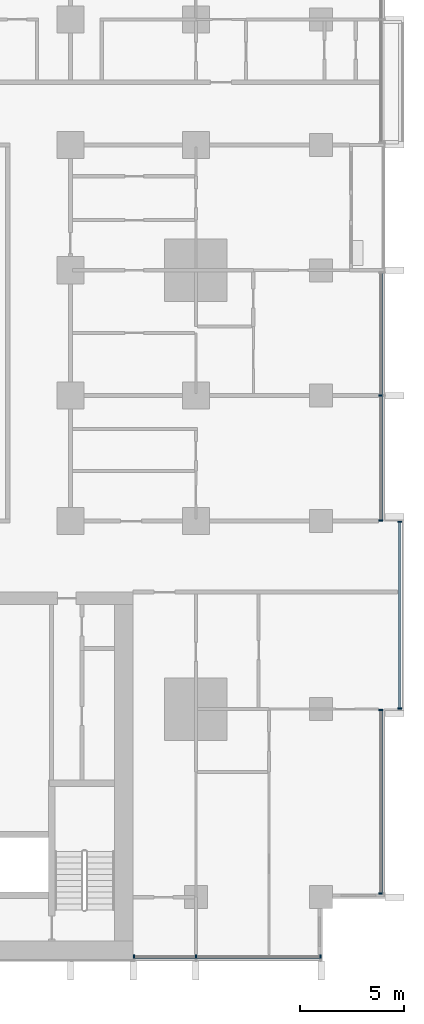
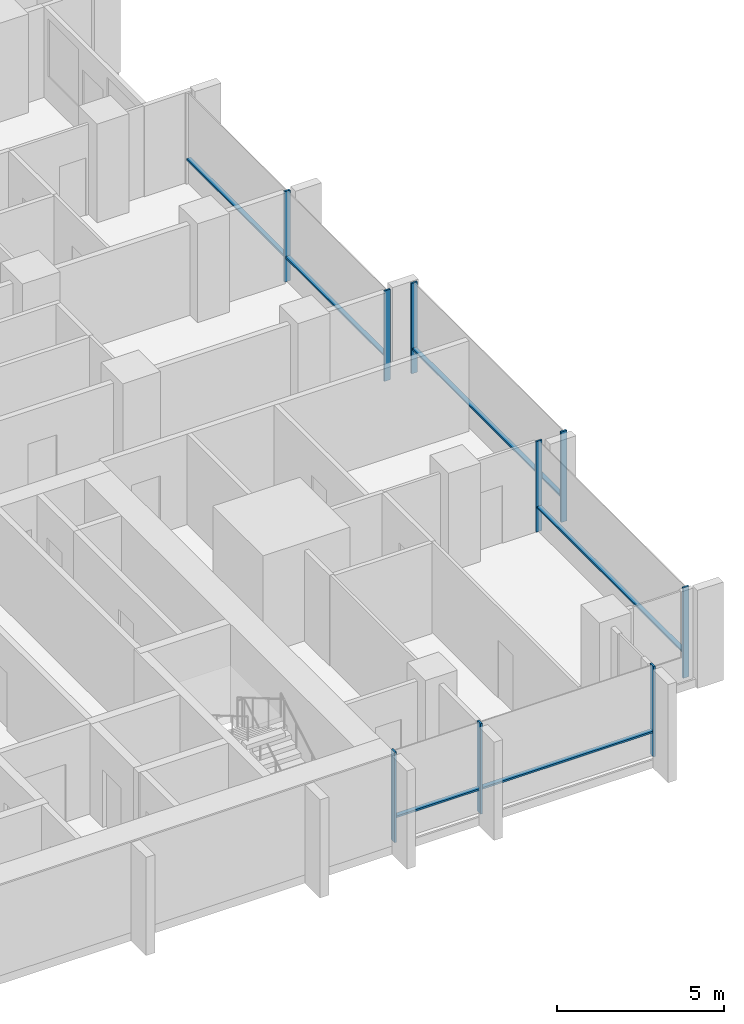
# One storey, part 3 of 18: 15 members, 4 elements without a shape of their own.
"""IFC4 building model written with IfcOpenShell, lengths in metres."""

from ifc_helpers import new_model, si_unit, direction, frame, origin, origin_2d, place, context, subcontext, project, spatial, rectangle, extrude, material, material_profile, profile_set, type_object, element, aggregate, save


model = new_model("IFC4")

# Units and contexts
model_context = context("Model", 3, precision=1e-05, world=origin(), true_north=direction((0.0, 1.0)))
body_context = subcontext(model_context, "Body", "Model", "MODEL_VIEW")
ifc_project = project(units=[si_unit("LENGTHUNIT", "METRE"), si_unit("AREAUNIT", "SQUARE_METRE"), si_unit("VOLUMEUNIT", "CUBIC_METRE"), si_unit("PLANEANGLEUNIT", "RADIAN"), si_unit("MASSUNIT", "GRAM", prefix="KILO")], contexts=[model_context])

# Site, building, storey
site_placement = place(None, origin())
site = spatial("IfcSite", under=ifc_project, at=site_placement, CompositionType="ELEMENT")
building_placement = place(site_placement, origin())
building = spatial("IfcBuilding", under=site, at=building_placement, Name="Finial Court Residences", CompositionType="ELEMENT")
storey_placement = place(building_placement, frame((0.0, 0.0, 36.10009765625)))
storey = spatial("IfcBuildingStorey", under=building, at=storey_placement, Name="L07", CompositionType="ELEMENT", Elevation=36.10009765625)

# Curtain wall, members
ifc_material = material(Name="Bronze anodised aluminium", Category="aluminium")
curtain_wall_type = type_object("IfcCurtainWallType", Name="Unitised curtain wall, lower and middle zones", PredefinedType="NOTDEFINED", material=ifc_material)
curtain_wall_1_placement = place(storey_placement, origin())
curtain_wall_1 = element("IfcCurtainWall", 1, at=curtain_wall_1_placement, inside=storey, type_object=curtain_wall_type, Name="E-L07-CW-E4", PredefinedType="NOTDEFINED")
ifc_material_profile_1 = material_profile(ifc_material, rectangle(XDim=0.199951171875, YDim=0.06494140625, at=origin_2d()), Name="CW1 mullion 65 x 200")
ifc_profile_set_1 = profile_set([ifc_material_profile_1], Name="Bronze anodised aluminium")
member_type_1 = type_object("IfcMemberType", Name="CW1 mullion 65 x 200", PredefinedType="MULLION", material=ifc_profile_set_1)
member_1_placement = place(storey_placement, frame((25.35009765625, -22.3173828125, 0.0), z_axis=(0.0, 0.0, 1.0), x_axis=(-1.0, 0.0, 0.0)))
member_1 = element("IfcMember", 2, at=member_1_placement, type_object=member_type_1, Name="CW1 mullion 1", PredefinedType="MULLION", context=body_context, shape_type="SweptSolid", body=[
    extrude(rectangle(XDim=0.199951171875, YDim=0.06494140625, at=origin_2d()), origin(), (0.0, 0.0, 1.0), 3.2998046875),
])
member_2_placement = place(storey_placement, frame((25.35009765625, -13.532470703125, 0.0), z_axis=(0.0, 0.0, 1.0), x_axis=(-1.0, 0.0, 0.0)))
member_2 = element("IfcMember", 3, at=member_2_placement, type_object=member_type_1, Name="CW1 mullion 2", PredefinedType="MULLION", context=body_context, shape_type="SweptSolid", body=[
    extrude(rectangle(XDim=0.199951171875, YDim=0.06494140625, at=origin_2d()), origin(), (0.0, 0.0, 1.0), 3.2998046875),
])

curtain_wall_2_placement = place(storey_placement, origin())
curtain_wall_2 = element("IfcCurtainWall", 4, at=curtain_wall_2_placement, inside=storey, type_object=curtain_wall_type, Name="E-L07-CW-E5", PredefinedType="NOTDEFINED")
member_3_placement = place(storey_placement, frame((26.25, -13.467529296875, 0.0), z_axis=(0.0, 0.0, 1.0), x_axis=(-1.0, 0.0, 0.0)))
member_3 = element("IfcMember", 5, at=member_3_placement, type_object=member_type_1, Name="CW1 mullion 1", PredefinedType="MULLION", context=body_context, shape_type="SweptSolid", body=[
    extrude(rectangle(XDim=0.199951171875, YDim=0.06494140625, at=origin_2d()), origin(), (0.0, 0.0, 1.0), 3.2998046875),
])
member_4_placement = place(storey_placement, frame((26.25, -4.532470703125, 0.0), z_axis=(0.0, 0.0, 1.0), x_axis=(-1.0, 0.0, 0.0)))
member_4 = element("IfcMember", 6, at=member_4_placement, type_object=member_type_1, Name="CW1 mullion 2", PredefinedType="MULLION", context=body_context, shape_type="SweptSolid", body=[
    extrude(rectangle(XDim=0.199951171875, YDim=0.06494140625, at=origin_2d()), origin(), (0.0, 0.0, 1.0), 3.2998046875),
])

curtain_wall_3_placement = place(storey_placement, origin())
curtain_wall_3 = element("IfcCurtainWall", 7, at=curtain_wall_3_placement, inside=storey, type_object=curtain_wall_type, Name="E-L07-CW-E6", PredefinedType="NOTDEFINED")
member_5_placement = place(storey_placement, frame((25.35009765625, -4.467529296875, 0.0), z_axis=(0.0, 0.0, 1.0), x_axis=(-1.0, 0.0, 0.0)))
member_5 = element("IfcMember", 8, at=member_5_placement, type_object=member_type_1, Name="CW1 mullion 1", PredefinedType="MULLION", context=body_context, shape_type="SweptSolid", body=[
    extrude(rectangle(XDim=0.199951171875, YDim=0.06494140625, at=origin_2d()), origin(), (0.0, 0.0, 1.0), 3.2998046875),
])
member_6_placement = place(storey_placement, frame((25.35009765625, 1.5, 0.0), z_axis=(0.0, 0.0, 1.0), x_axis=(-1.0, 0.0, 0.0)))
member_6 = element("IfcMember", 9, at=member_6_placement, type_object=member_type_1, Name="CW1 mullion 2", PredefinedType="MULLION", context=body_context, shape_type="SweptSolid", body=[
    extrude(rectangle(XDim=0.199951171875, YDim=0.06494140625, at=origin_2d()), origin(), (0.0, 0.0, 1.0), 3.2998046875),
])

curtain_wall_4_placement = place(storey_placement, origin())
curtain_wall_4 = element("IfcCurtainWall", 10, at=curtain_wall_4_placement, inside=storey, type_object=curtain_wall_type, Name="E-L07-CW-S9", PredefinedType="NOTDEFINED")
member_7_placement = place(storey_placement, frame((13.532470703125, -25.35009765625, 0.0), z_axis=(0.0, 0.0, 1.0), x_axis=(0.0, 1.0, 0.0)))
member_7 = element("IfcMember", 11, at=member_7_placement, type_object=member_type_1, Name="CW1 mullion 1", PredefinedType="MULLION", context=body_context, shape_type="SweptSolid", body=[
    extrude(rectangle(XDim=0.199951171875, YDim=0.06494140625, at=origin_2d()), origin(), (0.0, 0.0, 1.0), 3.2998046875),
])
member_8_placement = place(storey_placement, frame((16.5, -25.35009765625, 0.0), z_axis=(0.0, 0.0, 1.0), x_axis=(0.0, 1.0, 0.0)))
member_8 = element("IfcMember", 12, at=member_8_placement, type_object=member_type_1, Name="CW1 mullion 2", PredefinedType="MULLION", context=body_context, shape_type="SweptSolid", body=[
    extrude(rectangle(XDim=0.199951171875, YDim=0.06494140625, at=origin_2d()), origin(), (0.0, 0.0, 1.0), 3.2998046875),
])
member_9_placement = place(storey_placement, frame((22.467529296875, -25.35009765625, 0.0), z_axis=(0.0, 0.0, 1.0), x_axis=(0.0, 1.0, 0.0)))
member_9 = element("IfcMember", 13, at=member_9_placement, type_object=member_type_1, Name="CW1 mullion 3", PredefinedType="MULLION", context=body_context, shape_type="SweptSolid", body=[
    extrude(rectangle(XDim=0.199951171875, YDim=0.06494140625, at=origin_2d()), origin(), (0.0, 0.0, 1.0), 3.2998046875),
])

# Member
ifc_material_profile_2 = material_profile(ifc_material, rectangle(XDim=0.14990234375, YDim=0.06494140625, at=origin_2d()), Name="CW1 transom 65 x 150")
ifc_profile_set_2 = profile_set([ifc_material_profile_2], Name="Bronze anodised aluminium")
member_type_2 = type_object("IfcMemberType", Name="CW1 transom 65 x 150", PredefinedType="USERDEFINED", material=ifc_profile_set_2)
member_10_placement = place(storey_placement, frame((25.35009765625, -22.284912109375, 0.89990234375), z_axis=(0.0, 1.0, 0.0), x_axis=(-1.0, 0.0, 0.0)))
member_10 = element("IfcMember", 14, at=member_10_placement, type_object=member_type_2, Name="CW1 transom 1.1", ObjectType="TRANSOM", PredefinedType="USERDEFINED", context=body_context, shape_type="SweptSolid", body=[
    extrude(rectangle(XDim=0.14990234375, YDim=0.06494140625, at=origin_2d()), origin(), (0.0, 0.0, 1.0), 8.719970703125),
])

aggregate(curtain_wall_1, [member_1, member_2, member_10])

member_11_placement = place(storey_placement, frame((26.25, -13.43505859375, 0.89990234375), z_axis=(0.0, 1.0, 0.0), x_axis=(-1.0, 0.0, 0.0)))
member_11 = element("IfcMember", 15, at=member_11_placement, type_object=member_type_2, Name="CW1 transom 1.1", ObjectType="TRANSOM", PredefinedType="USERDEFINED", context=body_context, shape_type="SweptSolid", body=[
    extrude(rectangle(XDim=0.14990234375, YDim=0.06494140625, at=origin_2d()), origin(), (0.0, 0.0, 1.0), 8.8701171875),
])

aggregate(curtain_wall_2, [member_3, member_4, member_11])

member_12_placement = place(storey_placement, frame((25.35009765625, -4.43505859375, 0.89990234375), z_axis=(0.0, 1.0, 0.0), x_axis=(-1.0, 0.0, 0.0)))
member_12 = element("IfcMember", 16, at=member_12_placement, type_object=member_type_2, Name="CW1 transom 1.1", ObjectType="TRANSOM", PredefinedType="USERDEFINED", context=body_context, shape_type="SweptSolid", body=[
    extrude(rectangle(XDim=0.14990234375, YDim=0.06494140625, at=origin_2d()), origin(), (0.0, 0.0, 1.0), 5.902587890625),
])

member_13_placement = place(storey_placement, frame((25.35009765625, 1.532470703125, 0.89990234375), z_axis=(0.0, 1.0, 0.0), x_axis=(-1.0, 0.0, 0.0)))
member_13 = element("IfcMember", 17, at=member_13_placement, type_object=member_type_2, Name="CW1 transom 2.1", ObjectType="TRANSOM", PredefinedType="USERDEFINED", context=body_context, shape_type="SweptSolid", body=[
    extrude(rectangle(XDim=0.14990234375, YDim=0.06494140625, at=origin_2d()), origin(), (0.0, 0.0, 1.0), 5.82763671875),
])

aggregate(curtain_wall_3, [member_5, member_6, member_12, member_13])

member_14_placement = place(storey_placement, frame((13.56494140625, -25.35009765625, 0.89990234375), z_axis=(1.0, 0.0, 0.0), x_axis=(0.0, 1.0, 0.0)))
member_14 = element("IfcMember", 18, at=member_14_placement, type_object=member_type_2, Name="CW1 transom 1.1", ObjectType="TRANSOM", PredefinedType="USERDEFINED", context=body_context, shape_type="SweptSolid", body=[
    extrude(rectangle(XDim=0.14990234375, YDim=0.06494140625, at=origin_2d()), origin(), (0.0, 0.0, 1.0), 2.902587890625),
])

member_15_placement = place(storey_placement, frame((16.532470703125, -25.35009765625, 0.89990234375), z_axis=(1.0, 0.0, 0.0), x_axis=(0.0, 1.0, 0.0)))
member_15 = element("IfcMember", 19, at=member_15_placement, type_object=member_type_2, Name="CW1 transom 2.1", ObjectType="TRANSOM", PredefinedType="USERDEFINED", context=body_context, shape_type="SweptSolid", body=[
    extrude(rectangle(XDim=0.14990234375, YDim=0.06494140625, at=origin_2d()), origin(), (0.0, 0.0, 1.0), 5.902587890625),
])

aggregate(curtain_wall_4, [member_7, member_8, member_9, member_14, member_15])

save(model, "model.ifc")
